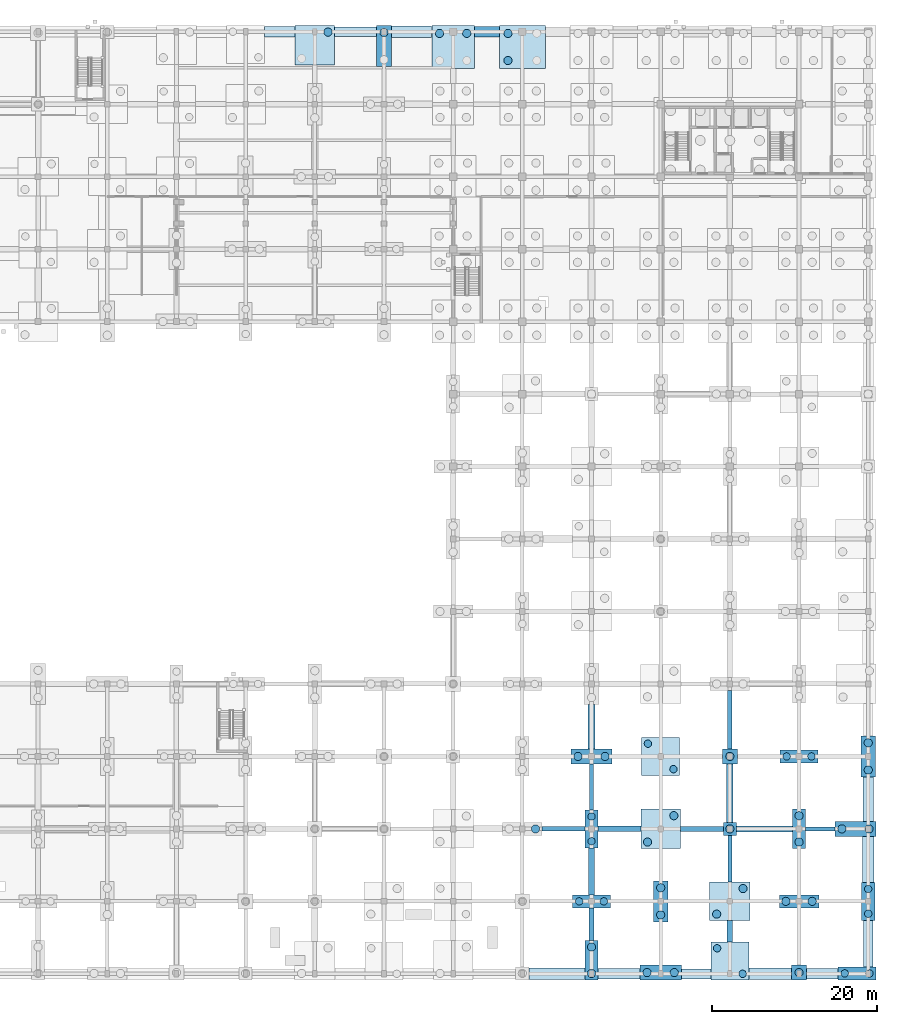
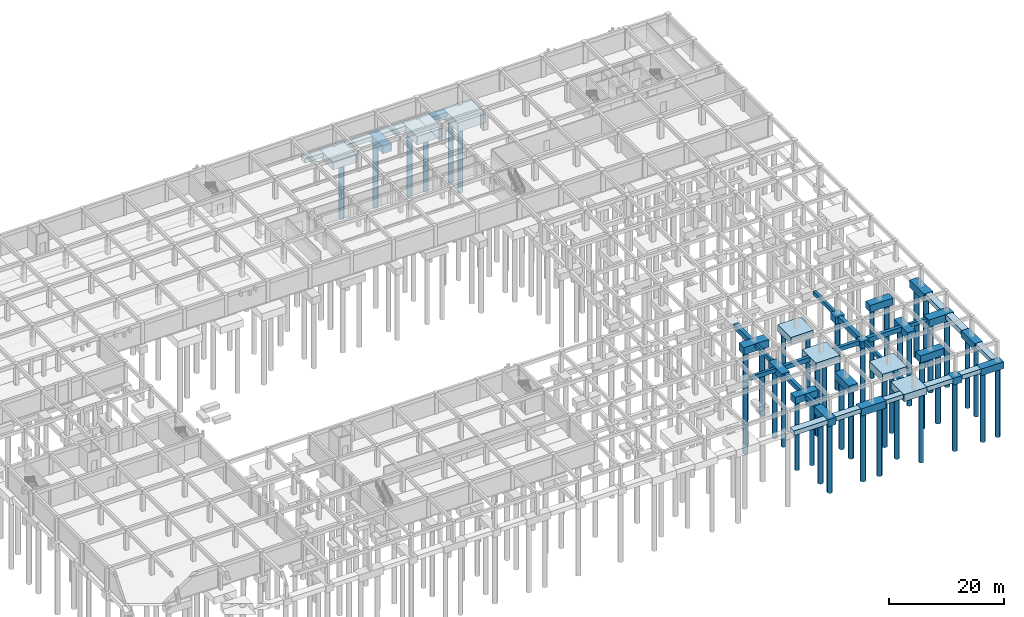
# One storey, part 9 of 41: 49 footings, 44 piles.
"""IFC4 building model written with IfcOpenShell, lengths in metres."""

import ifcopenshell
import ifcopenshell.guid

model = None  # the IFC model being written
_history = None  # IfcOwnerHistory: only IFC2X3 demands one
_inside = {}  # id of a spatial element -> (the spatial element, [elements in it])
_under = {}  # id of a project, library or spatial element -> (it, [spatial elements below it])
_declared = {}  # id of a project -> (the project, [libraries it declares])
_typed = {}  # id of a type object -> (the type object, [elements of that type])
_made_of = {}  # id of a material, layer set ... -> (it, [elements and type objects made of it])


def new_model(schema):
    """Start an empty IFC model of exactly this schema.

    Asked for "IFC4X3", IfcOpenShell would pick the latest addendum, in which some entities
    have other attributes; the version numbers below select the first issue.
    IFC2X3 requires an IfcOwnerHistory on every rooted entity: one is made here for all.
    """
    global model, _history
    if schema == "IFC4X3":
        model = ifcopenshell.file(schema_version=(4, 3, 0, 0))
    else:
        model = ifcopenshell.file(schema=schema)
    _inside.clear()
    _under.clear()
    _declared.clear()
    _typed.clear()
    _made_of.clear()
    _history = None
    if model.schema == "IFC2X3":
        org = make("IfcOrganization", Name="unknown")
        user = make(
            "IfcPersonAndOrganization",
            ThePerson=make("IfcPerson", FamilyName="unknown"),
            TheOrganization=org,
        )
        app = make(
            "IfcApplication",
            ApplicationDeveloper=org,
            Version="unknown",
            ApplicationFullName="unknown",
            ApplicationIdentifier="unknown",
        )
        _history = make(
            "IfcOwnerHistory",
            OwningUser=user,
            OwningApplication=app,
            ChangeAction="ADDED",
            CreationDate=0,
        )
    return model


def make(cls, **values):
    """One entity of the class cls with the attributes given. An attribute that is None is left unset."""
    return model.create_entity(
        cls, **{name: value for name, value in values.items() if value is not None}
    )


def rooted(cls, **values):
    """An entity with a GlobalId (a new one), such as an element, a storey or a relation."""
    return make(cls, GlobalId=ifcopenshell.guid.new(), OwnerHistory=_history, **values)


def si_unit(unit_type, name, prefix=None):
    """IfcSIUnit, for example si_unit("LENGTHUNIT", "METRE", prefix="MILLI")."""
    return make("IfcSIUnit", UnitType=unit_type, Prefix=prefix, Name=name)


def assignment(units):
    """IfcUnitAssignment: the units of a project."""
    return None if units is None else make("IfcUnitAssignment", Units=units)


def point(xyz):
    """IfcCartesianPoint."""
    return None if xyz is None else make("IfcCartesianPoint", Coordinates=xyz)


def direction(xyz):
    """IfcDirection."""
    return None if xyz is None else make("IfcDirection", DirectionRatios=xyz)


def frame(location, z_axis=None, x_axis=None):
    """IfcAxis2Placement3D, a coordinate frame: its origin and axes. An axis left out is left unset."""
    return make(
        "IfcAxis2Placement3D",
        Location=point(location),
        Axis=direction(z_axis),
        RefDirection=direction(x_axis),
    )


def frame_2d(location, x_axis=None):
    """IfcAxis2Placement2D, a coordinate frame in the plane: its origin and x axis."""
    return make(
        "IfcAxis2Placement2D", Location=point(location), RefDirection=direction(x_axis)
    )


def origin():
    """The frame at (0, 0, 0) with its axes left unset."""
    return frame((0.0, 0.0, 0.0))


def origin_2d():
    """The frame at (0, 0) in the plane with its x axis left unset."""
    return frame_2d((0.0, 0.0))


def place(relative_to, where):
    """IfcLocalPlacement: puts the frame where relative to a parent placement (None: the world)."""
    return make(
        "IfcLocalPlacement", PlacementRelTo=relative_to, RelativePlacement=where
    )


def context(
    kind, dimensions, precision=None, world=None, true_north=None, identifier=None
):
    """IfcGeometricRepresentationContext, for example the 3D "Model" context."""
    return make(
        "IfcGeometricRepresentationContext",
        ContextIdentifier=identifier,
        ContextType=kind,
        CoordinateSpaceDimension=dimensions,
        Precision=precision,
        WorldCoordinateSystem=world,
        TrueNorth=true_north,
    )


def subcontext(parent, identifier, kind, view, scale=None):
    """IfcGeometricRepresentationSubContext, for example "Body" below "Model"."""
    return make(
        "IfcGeometricRepresentationSubContext",
        ContextIdentifier=identifier,
        ContextType=kind,
        ParentContext=parent,
        TargetScale=scale,
        TargetView=view,
    )


def project(units=None, contexts=None):
    """IfcProject with its units and contexts."""
    return rooted(
        "IfcProject",
        Name="project",
        RepresentationContexts=contexts,
        UnitsInContext=assignment(units),
    )


def spatial(cls, under=None, at=None, **own):
    """A site, building, storey or space (cls), placed at a placement, below another one or the project."""
    s = rooted(cls, ObjectPlacement=at, **own)
    if under is not None:
        _under.setdefault(under.id(), (under, []))[1].append(s)
    return s


def profile(cls, at=None, kind="AREA", **sizes):
    """A parametric profile (cls). Its sizes go by their IFC names, for example OverallWidth=200.0."""
    return make(cls, ProfileType=kind, Position=at, **sizes)


def rectangle(**sizes):
    """IfcRectangleProfileDef."""
    return profile("IfcRectangleProfileDef", **sizes)


def circle(**sizes):
    """IfcCircleProfileDef."""
    return profile("IfcCircleProfileDef", **sizes)


def extrude(swept, where, along, depth):
    """IfcExtrudedAreaSolid: the profile swept, set in the frame where, extruded along a direction by depth."""
    return make(
        "IfcExtrudedAreaSolid",
        SweptArea=swept,
        Position=where,
        ExtrudedDirection=direction(along),
        Depth=depth,
    )


def shape(context_of_items, identifier, shape_type, items):
    """IfcShapeRepresentation: the items that make up one representation, for example the "Body"."""
    return make(
        "IfcShapeRepresentation",
        ContextOfItems=context_of_items,
        RepresentationIdentifier=identifier,
        RepresentationType=shape_type,
        Items=items,
    )


def material(Name=None, Category=None):
    """IfcMaterial."""
    return make("IfcMaterial", Name=Name, Category=Category)


def material_profile(
    of_material, cross_section, Name=None, Category=None, Priority=None
):
    """IfcMaterialProfile: a cross section and its material."""
    return make(
        "IfcMaterialProfile",
        Name=Name,
        Material=of_material,
        Profile=cross_section,
        Priority=Priority,
        Category=Category,
    )


def profile_set(profiles, Name=None, composite=None):
    """IfcMaterialProfileSet."""
    return make(
        "IfcMaterialProfileSet",
        Name=Name,
        MaterialProfiles=profiles,
        CompositeProfile=composite,
    )


def made_of(thing, what):
    """Note that an element or type object is made of a material, layer set ...; save() writes the relation."""
    if what is not None:
        _made_of.setdefault(what.id(), (what, []))[1].append(thing)
    return thing


def type_object(cls, material=None, **own):
    """A type object (cls), such as IfcWallType, which elements share."""
    return made_of(rooted(cls, **own), material)


def element(
    cls,
    number,
    at=None,
    inside=None,
    cuts=None,
    type_object=None,
    material=None,
    context=None,
    identifier="Body",
    shape_type=None,
    held_by="IfcProductDefinitionShape",
    body=None,
    shapes=None,
    **own,
):
    """One element of the class cls, such as IfcWall. Its Tag is "e" and its number.

    at: its placement. inside: the storey or other place that contains it. cuts: it is an
    opening in that element (IfcRelVoidsElement). A single representation is given by context,
    identifier, shape_type and body (its items); several are given by shapes. held_by: the class
    of the entity that holds the representations. save() writes the other relations.
    """
    e = rooted(cls, Tag="e%d" % number, ObjectPlacement=at, **own)
    if body is not None:
        shapes = [shape(context, identifier, shape_type, body)]
    if shapes is not None:
        e.Representation = make(held_by, Representations=shapes)
    if inside is not None:
        _inside.setdefault(inside.id(), (inside, []))[1].append(e)
    if cuts is not None:
        rooted(
            "IfcRelVoidsElement", RelatingBuildingElement=cuts, RelatedOpeningElement=e
        )
    if type_object is not None:
        _typed.setdefault(type_object.id(), (type_object, []))[1].append(e)
    return made_of(e, material)


def aggregate(whole, parts):
    """IfcRelAggregates: a whole, such as a stair, and the parts it consists of."""
    return rooted("IfcRelAggregates", RelatingObject=whole, RelatedObjects=parts)


def save(model, path):
    """Write the relations noted so far, then the file.

    IfcRelAggregates (storeys below a building ...), IfcRelContainedInSpatialStructure (elements
    in a storey), IfcRelDefinesByType, IfcRelAssociatesMaterial and IfcRelDeclares: one each for
    every whole, place, type object, material and project.
    """
    for whole, parts in _under.values():
        aggregate(whole, parts)
    for where, things in _inside.values():
        rooted(
            "IfcRelContainedInSpatialStructure",
            RelatedElements=things,
            RelatingStructure=where,
        )
    for kind, things in _typed.values():
        rooted("IfcRelDefinesByType", RelatedObjects=things, RelatingType=kind)
    for what, things in _made_of.values():
        rooted("IfcRelAssociatesMaterial", RelatedObjects=things, RelatingMaterial=what)
    for by, libraries in _declared.values():
        rooted("IfcRelDeclares", RelatingContext=by, RelatedDefinitions=libraries)
    model.write(path)


model = new_model("IFC4")

# Units and contexts
model_context = context("Model", 3, precision=1e-05, world=origin(), true_north=direction((0.0, 1.0)))
body_context = subcontext(model_context, "Body", "Model", "MODEL_VIEW")
ifc_project = project(units=[si_unit("LENGTHUNIT", "METRE"), si_unit("AREAUNIT", "SQUARE_METRE"), si_unit("VOLUMEUNIT", "CUBIC_METRE"), si_unit("PLANEANGLEUNIT", "RADIAN"), si_unit("MASSUNIT", "GRAM", prefix="KILO")], contexts=[model_context])

# Site, building, storey
site_placement = place(None, origin())
site = spatial("IfcSite", under=ifc_project, at=site_placement, CompositionType="ELEMENT")
building_placement = place(site_placement, origin())
building = spatial("IfcBuilding", under=site, at=building_placement, Name="Kemercrest Conservatory and Botanical Centre", CompositionType="ELEMENT")
storey_placement = place(building_placement, frame((0.0, 0.0, -4.5)))
storey = spatial("IfcBuildingStorey", under=building, at=storey_placement, Name="B1", CompositionType="ELEMENT", Elevation=-4.5)

# Piles
ifc_material = material(Name="Concrete C40/50", Category="concrete")
ifc_material_profile_1 = material_profile(ifc_material, circle(Radius=0.5, at=origin_2d()), Name="BORED PILE 1000")
ifc_profile_set_1 = profile_set([ifc_material_profile_1], Name="Concrete C40/50")
pile_type_1 = type_object("IfcPileType", Name="BP-01", PredefinedType="BORED", material=ifc_profile_set_1)
pile_1_placement = place(storey_placement, frame((110.39990234375, 122.35009765625, -1.909912109375), z_axis=(0.0, 0.0, -1.0), x_axis=(1.0, 0.0, 0.0)))
element("IfcPile", 1, at=pile_1_placement, inside=storey, type_object=pile_type_1, Name="Bored pile BP-01 #289", PredefinedType="BORED", context=body_context, shape_type="SweptSolid", body=[
    extrude(circle(Radius=0.5, at=origin_2d()), origin(), (0.0, 0.0, 1.0), 14.090087890625),
])
pile_2_placement = place(storey_placement, frame((117.199951171875, 122.300048828125, -1.860107421875), z_axis=(0.0, 0.0, -1.0), x_axis=(1.0, 0.0, 0.0)))
element("IfcPile", 2, at=pile_2_placement, inside=storey, type_object=pile_type_1, Name="Bored pile BP-01 #307", PredefinedType="BORED", context=body_context, shape_type="SweptSolid", body=[
    extrude(circle(Radius=0.5, at=origin_2d()), origin(), (0.0, 0.0, 1.0), 14.139892578125),
])
for number, where, z_axis, x_axis, name in (
    (3, (123.949951171875, 122.199951171875, -2.199951171875), (0.0, 0.0, -1.0), (1.0, 0.0, 0.0), "Bored pile BP-01 #341"),
    (4, (127.25, 122.199951171875, -2.199951171875), (0.0, 0.0, -1.0), (1.0, 0.0, 0.0), "Bored pile BP-01 #343"),
):
    element("IfcPile", number, at=place(storey_placement, frame(where, z_axis=z_axis, x_axis=x_axis)), inside=storey, type_object=pile_type_1, Name=name, PredefinedType="BORED", context=body_context, shape_type="SweptSolid", body=[
        extrude(circle(Radius=0.5, at=origin_2d()), origin(), (0.0, 0.0, 1.0), 13.800048828125),
    ])
pile_3_placement = place(storey_placement, frame((135.60009765625, 25.60009765625, -1.39990234375), z_axis=(0.0, 0.0, -1.0), x_axis=(1.0, 0.0, 0.0)))
element("IfcPile", 5, at=pile_3_placement, inside=storey, type_object=pile_type_1, Name="Bored pile BP-01 #347", PredefinedType="BORED", context=body_context, shape_type="SweptSolid", body=[
    extrude(circle(Radius=0.5, at=origin_2d()), origin(), (0.0, 0.0, 1.0), 14.60009765625),
])
for number, where, z_axis, x_axis, name in (
    (6, (132.25, 118.89990234375, -2.300048828125), (0.0, 0.0, -1.0), (1.0, 0.0, 0.0), "Bored pile BP-01 #376"),
    (7, (132.25, 122.199951171875, -2.300048828125), (0.0, 0.0, -1.0), (1.0, 0.0, 0.0), "Bored pile BP-01 #377"),
):
    element("IfcPile", number, at=place(storey_placement, frame(where, z_axis=z_axis, x_axis=x_axis)), inside=storey, type_object=pile_type_1, Name=name, PredefinedType="BORED", context=body_context, shape_type="SweptSolid", body=[
        extrude(circle(Radius=0.5, at=origin_2d()), origin(), (0.0, 0.0, 1.0), 13.699951171875),
    ])
for number, where, z_axis, x_axis, name in (
    (8, (142.39990234375, 8.050048828125, -1.39990234375), (0.0, 0.0, -1.0), (1.0, 0.0, 0.0), "Bored pile BP-01 #380"),
    (9, (142.39990234375, 11.25, -1.39990234375), (0.0, 0.0, -1.0), (1.0, 0.0, 0.0), "Bored pile BP-01 #381"),
):
    element("IfcPile", number, at=place(storey_placement, frame(where, z_axis=z_axis, x_axis=x_axis)), inside=storey, type_object=pile_type_1, Name=name, PredefinedType="BORED", context=body_context, shape_type="SweptSolid", body=[
        extrude(circle(Radius=0.5, at=origin_2d()), origin(), (0.0, 0.0, 1.0), 14.60009765625),
    ])
for number, where, z_axis, x_axis, name in (
    (10, (140.75, 34.39990234375, -1.449951171875), (0.0, 0.0, -1.0), (1.0, 0.0, 0.0), "Bored pile BP-01 #386"),
    (11, (144.050048828125, 34.39990234375, -1.449951171875), (0.0, 0.0, -1.0), (1.0, 0.0, 0.0), "Bored pile BP-01 #387"),
    (12, (149.14990234375, 8.14990234375, -1.449951171875), (0.0, 0.0, -1.0), (1.0, 0.0, 0.0), "Bored pile BP-01 #417"),
    (13, (152.449951171875, 8.14990234375, -1.449951171875), (0.0, 0.0, -1.0), (1.0, 0.0, 0.0), "Bored pile BP-01 #418"),
    (14, (150.800048828125, 15.14990234375, -1.449951171875), (0.0, 0.0, -1.0), (1.0, 0.0, 0.0), "Bored pile BP-01 #419"),
    (15, (150.800048828125, 18.449951171875, -1.449951171875), (0.0, 0.0, -1.0), (1.0, 0.0, 0.0), "Bored pile BP-01 #420"),
):
    element("IfcPile", number, at=place(storey_placement, frame(where, z_axis=z_axis, x_axis=x_axis)), inside=storey, type_object=pile_type_1, Name=name, PredefinedType="BORED", context=body_context, shape_type="SweptSolid", body=[
        extrude(circle(Radius=0.5, at=origin_2d()), origin(), (0.0, 0.0, 1.0), 14.550048828125),
    ])
for number, where, z_axis, x_axis, name in (
    (16, (149.199951171875, 24.0, -1.5), (0.0, 0.0, -1.0), (1.0, 0.0, 0.0), "Bored pile BP-01 #421"),
    (17, (152.39990234375, 27.199951171875, -1.5), (0.0, 0.0, -1.0), (1.0, 0.0, 0.0), "Bored pile BP-01 #422"),
):
    element("IfcPile", number, at=place(storey_placement, frame(where, z_axis=z_axis, x_axis=x_axis)), inside=storey, type_object=pile_type_1, Name=name, PredefinedType="BORED", context=body_context, shape_type="SweptSolid", body=[
        extrude(circle(Radius=0.5, at=origin_2d()), origin(), (0.0, 0.0, 1.0), 14.5),
    ])
for number, where, z_axis, x_axis, name in (
    (18, (157.60009765625, 15.25, -1.550048828125), (0.0, 0.0, -1.0), (1.0, 0.0, 0.0), "Bored pile BP-01 #447"),
    (19, (160.800048828125, 18.35009765625, -1.550048828125), (0.0, 0.0, -1.0), (1.0, 0.0, 0.0), "Bored pile BP-01 #448"),
):
    element("IfcPile", number, at=place(storey_placement, frame(where, z_axis=z_axis, x_axis=x_axis)), inside=storey, type_object=pile_type_1, Name=name, PredefinedType="BORED", context=body_context, shape_type="SweptSolid", body=[
        extrude(circle(Radius=0.5, at=origin_2d()), origin(), (0.0, 0.0, 1.0), 14.449951171875),
    ])
pile_4_placement = place(storey_placement, frame((159.199951171875, 25.60009765625, -1.300048828125), z_axis=(0.0, 0.0, -1.0), x_axis=(1.0, 0.0, 0.0)))
element("IfcPile", 20, at=pile_4_placement, inside=storey, type_object=pile_type_1, Name="Bored pile BP-01 #449", PredefinedType="BORED", context=body_context, shape_type="SweptSolid", body=[
    extrude(circle(Radius=0.5, at=origin_2d()), origin(), (0.0, 0.0, 1.0), 14.699951171875),
])
for number, where, z_axis, x_axis, name in (
    (21, (159.199951171875, 34.39990234375, -1.35009765625), (0.0, 0.0, -1.0), (1.0, 0.0, 0.0), "Bored pile BP-01 #450"),
    (22, (167.60009765625, 8.14990234375, -1.35009765625), (0.0, 0.0, -1.0), (1.0, 0.0, 0.0), "Bored pile BP-01 #473"),
):
    element("IfcPile", number, at=place(storey_placement, frame(where, z_axis=z_axis, x_axis=x_axis)), inside=storey, type_object=pile_type_1, Name=name, PredefinedType="BORED", context=body_context, shape_type="SweptSolid", body=[
        extrude(circle(Radius=0.5, at=origin_2d()), origin(), (0.0, 0.0, 1.0), 14.64990234375),
    ])
for number, where, z_axis, x_axis, name in (
    (23, (166.0, 16.800048828125, -1.39990234375), (0.0, 0.0, -1.0), (1.0, 0.0, 0.0), "Bored pile BP-01 #474"),
    (24, (169.199951171875, 16.800048828125, -1.39990234375), (0.0, 0.0, -1.0), (1.0, 0.0, 0.0), "Bored pile BP-01 #475"),
    (25, (167.60009765625, 24.0, -1.39990234375), (0.0, 0.0, -1.0), (1.0, 0.0, 0.0), "Bored pile BP-01 #476"),
    (26, (167.60009765625, 27.199951171875, -1.39990234375), (0.0, 0.0, -1.0), (1.0, 0.0, 0.0), "Bored pile BP-01 #477"),
):
    element("IfcPile", number, at=place(storey_placement, frame(where, z_axis=z_axis, x_axis=x_axis)), inside=storey, type_object=pile_type_1, Name=name, PredefinedType="BORED", context=body_context, shape_type="SweptSolid", body=[
        extrude(circle(Radius=0.5, at=origin_2d()), origin(), (0.0, 0.0, 1.0), 14.60009765625),
    ])
for number, where, z_axis, x_axis, name in (
    (27, (172.800048828125, 25.60009765625, -1.449951171875), (0.0, 0.0, -1.0), (1.0, 0.0, 0.0), "Bored pile BP-01 #506"),
    (28, (176.10009765625, 25.60009765625, -1.449951171875), (0.0, 0.0, -1.0), (1.0, 0.0, 0.0), "Bored pile BP-01 #507"),
    (29, (176.0, 32.75, -1.449951171875), (0.0, 0.0, -1.0), (1.0, 0.0, 0.0), "Bored pile BP-01 #508"),
    (30, (176.0, 36.050048828125, -1.449951171875), (0.0, 0.0, -1.0), (1.0, 0.0, 0.0), "Bored pile BP-01 #509"),
):
    element("IfcPile", number, at=place(storey_placement, frame(where, z_axis=z_axis, x_axis=x_axis)), inside=storey, type_object=pile_type_1, Name=name, PredefinedType="BORED", context=body_context, shape_type="SweptSolid", body=[
        extrude(circle(Radius=0.5, at=origin_2d()), origin(), (0.0, 0.0, 1.0), 14.550048828125),
    ])
ifc_material_profile_2 = material_profile(ifc_material, circle(Radius=0.449951171875, at=origin_2d()), Name="BORED PILE 900")
ifc_profile_set_2 = profile_set([ifc_material_profile_2], Name="Concrete C40/50")
pile_type_2 = type_object("IfcPileType", Name="BP-02", PredefinedType="BORED", material=ifc_profile_set_2)
for number, where, z_axis, x_axis, name in (
    (31, (140.89990234375, 16.800048828125, -1.35009765625), (0.0, 0.0, -1.0), (1.0, 0.0, 0.0), "Bored pile BP-02 #382"),
    (32, (143.89990234375, 16.800048828125, -1.35009765625), (0.0, 0.0, -1.0), (1.0, 0.0, 0.0), "Bored pile BP-02 #383"),
    (33, (142.39990234375, 24.10009765625, -1.35009765625), (0.0, 0.0, -1.0), (1.0, 0.0, 0.0), "Bored pile BP-02 #384"),
    (34, (142.39990234375, 27.10009765625, -1.35009765625), (0.0, 0.0, -1.0), (1.0, 0.0, 0.0), "Bored pile BP-02 #385"),
):
    element("IfcPile", number, at=place(storey_placement, frame(where, z_axis=z_axis, x_axis=x_axis)), inside=storey, type_object=pile_type_2, Name=name, PredefinedType="BORED", context=body_context, shape_type="SweptSolid", body=[
        extrude(circle(Radius=0.449951171875, at=origin_2d()), origin(), (0.0, 0.0, 1.0), 14.64990234375),
    ])
for number, where, z_axis, x_axis, name in (
    (35, (149.25, 35.949951171875, -1.39990234375), (0.0, 0.0, -1.0), (1.0, 0.0, 0.0), "Bored pile BP-02 #423"),
    (36, (152.35009765625, 32.85009765625, -1.39990234375), (0.0, 0.0, -1.0), (1.0, 0.0, 0.0), "Bored pile BP-02 #424"),
    (37, (157.64990234375, 11.10009765625, -1.39990234375), (0.0, 0.0, -1.0), (1.0, 0.0, 0.0), "Bored pile BP-02 #445"),
    (38, (160.75, 8.0, -1.39990234375), (0.0, 0.0, -1.0), (1.0, 0.0, 0.0), "Bored pile BP-02 #446"),
):
    element("IfcPile", number, at=place(storey_placement, frame(where, z_axis=z_axis, x_axis=x_axis)), inside=storey, type_object=pile_type_2, Name=name, PredefinedType="BORED", context=body_context, shape_type="SweptSolid", body=[
        extrude(circle(Radius=0.449951171875, at=origin_2d()), origin(), (0.0, 0.0, 1.0), 14.60009765625),
    ])
for number, where, z_axis, x_axis, name in (
    (39, (166.10009765625, 34.39990234375, -1.35009765625), (0.0, 0.0, -1.0), (1.0, 0.0, 0.0), "Bored pile BP-02 #478"),
    (40, (169.10009765625, 34.39990234375, -1.35009765625), (0.0, 0.0, -1.0), (1.0, 0.0, 0.0), "Bored pile BP-02 #479"),
    (41, (173.14990234375, 8.050048828125, -1.35009765625), (0.0, 0.0, -1.0), (1.0, 0.0, 0.0), "Bored pile BP-02 #502"),
    (42, (176.14990234375, 8.050048828125, -1.35009765625), (0.0, 0.0, -1.0), (1.0, 0.0, 0.0), "Bored pile BP-02 #503"),
    (43, (176.0, 15.300048828125, -1.35009765625), (0.0, 0.0, -1.0), (1.0, 0.0, 0.0), "Bored pile BP-02 #504"),
    (44, (176.0, 18.300048828125, -1.35009765625), (0.0, 0.0, -1.0), (1.0, 0.0, 0.0), "Bored pile BP-02 #505"),
):
    element("IfcPile", number, at=place(storey_placement, frame(where, z_axis=z_axis, x_axis=x_axis)), inside=storey, type_object=pile_type_2, Name=name, PredefinedType="BORED", context=body_context, shape_type="SweptSolid", body=[
        extrude(circle(Radius=0.449951171875, at=origin_2d()), origin(), (0.0, 0.0, 1.0), 14.64990234375),
    ])

# Footings
footing_type_1 = type_object("IfcFootingType", Name="FB-01", PredefinedType="FOOTING_BEAM", material=ifc_material)
footing_1_placement = place(storey_placement, frame((155.800048828125, 25.60009765625, -0.89990234375), z_axis=(0.0, 0.0, 1.0), x_axis=(1.0, 0.0, 0.0)))
element("IfcFooting", 45, at=footing_1_placement, inside=storey, type_object=footing_type_1, Name="Seismic tie footing beam FB-01", PredefinedType="FOOTING_BEAM", context=body_context, shape_type="SweptSolid", body=[
    extrude(rectangle(XDim=5.199951171875, YDim=0.60009765625, at=origin_2d()), origin(), (0.0, 0.0, 1.0), 0.89990234375),
])
footing_2_placement = place(storey_placement, frame((142.39990234375, 14.02490234375, -0.89990234375), z_axis=(0.0, 0.0, 1.0), x_axis=(1.0, 0.0, 0.0)))
element("IfcFooting", 46, at=footing_2_placement, inside=storey, type_object=footing_type_1, Name="Seismic tie footing beam FB-01", PredefinedType="FOOTING_BEAM", context=body_context, shape_type="SweptSolid", body=[
    extrude(rectangle(XDim=0.60009765625, YDim=3.949951171875, at=origin_2d()), origin(), (0.0, 0.0, 1.0), 0.89990234375),
])
footing_type_2 = type_object("IfcFootingType", Name="FB-02", PredefinedType="FOOTING_BEAM", material=ifc_material)
footing_3_placement = place(storey_placement, frame((163.39990234375, 25.60009765625, -1.0), z_axis=(0.0, 0.0, 1.0), x_axis=(1.0, 0.0, 0.0)))
element("IfcFooting", 47, at=footing_3_placement, inside=storey, type_object=footing_type_2, Name="Seismic tie footing beam FB-02", PredefinedType="FOOTING_BEAM", context=body_context, shape_type="SweptSolid", body=[
    extrude(rectangle(XDim=6.800048828125, YDim=0.699951171875, at=origin_2d()), origin(), (0.0, 0.0, 1.0), 1.0),
])
footing_4_placement = place(storey_placement, frame((142.39990234375, 20.449951171875, -1.0), z_axis=(0.0, 0.0, 1.0), x_axis=(1.0, 0.0, 0.0)))
element("IfcFooting", 48, at=footing_4_placement, inside=storey, type_object=footing_type_2, Name="Seismic tie footing beam FB-02", PredefinedType="FOOTING_BEAM", context=body_context, shape_type="SweptSolid", body=[
    extrude(rectangle(XDim=0.699951171875, YDim=5.699951171875, at=origin_2d()), origin(), (0.0, 0.0, 1.0), 1.0),
])
footing_5_placement = place(storey_placement, frame((159.199951171875, 13.14990234375, -1.0), z_axis=(0.0, 0.0, 1.0), x_axis=(1.0, 0.0, 0.0)))
element("IfcFooting", 49, at=footing_5_placement, inside=storey, type_object=footing_type_2, Name="Seismic tie footing beam FB-02", PredefinedType="FOOTING_BEAM", context=body_context, shape_type="SweptSolid", body=[
    extrude(rectangle(XDim=0.699951171875, YDim=2.60009765625, at=origin_2d()), origin(), (0.0, 0.0, 1.0), 1.0),
])
footing_type_3 = type_object("IfcFootingType", Name="FB-03", PredefinedType="FOOTING_BEAM", material=ifc_material)
footing_6_placement = place(storey_placement, frame((170.175048828125, 25.60009765625, -0.7998046875), z_axis=(0.0, 0.0, 1.0), x_axis=(1.0, 0.0, 0.0)))
element("IfcFooting", 50, at=footing_6_placement, inside=storey, type_object=footing_type_3, Name="Seismic tie footing beam FB-03", PredefinedType="FOOTING_BEAM", context=body_context, shape_type="SweptSolid", body=[
    extrude(rectangle(XDim=3.550048828125, YDim=0.5, at=origin_2d()), origin(), (0.0, 0.0, 1.0), 0.800048828125),
])
footing_7_placement = place(storey_placement, frame((142.39990234375, 30.699951171875, -0.7998046875), z_axis=(0.0, 0.0, 1.0), x_axis=(1.0, 0.0, 0.0)))
element("IfcFooting", 51, at=footing_7_placement, inside=storey, type_object=footing_type_3, Name="Seismic tie footing beam FB-03", PredefinedType="FOOTING_BEAM", context=body_context, shape_type="SweptSolid", body=[
    extrude(rectangle(XDim=0.5, YDim=5.60009765625, at=origin_2d()), origin(), (0.0, 0.0, 1.0), 0.800048828125),
])
footing_8_placement = place(storey_placement, frame((159.199951171875, 21.97509765625, -0.7998046875), z_axis=(0.0, 0.0, 1.0), x_axis=(1.0, 0.0, 0.0)))
element("IfcFooting", 52, at=footing_8_placement, inside=storey, type_object=footing_type_3, Name="Seismic tie footing beam FB-03", PredefinedType="FOOTING_BEAM", context=body_context, shape_type="SweptSolid", body=[
    extrude(rectangle(XDim=0.5, YDim=5.64990234375, at=origin_2d()), origin(), (0.0, 0.0, 1.0), 0.800048828125),
])
footing_type_4 = type_object("IfcFootingType", Name="FB-04", PredefinedType="FOOTING_BEAM", material=ifc_material)
footing_9_placement = place(storey_placement, frame((142.39990234375, 38.0, -1.10009765625), z_axis=(0.0, 0.0, 1.0), x_axis=(1.0, 0.0, 0.0)))
element("IfcFooting", 53, at=footing_9_placement, inside=storey, type_object=footing_type_4, Name="Seismic tie footing beam FB-04", PredefinedType="FOOTING_BEAM", context=body_context, shape_type="SweptSolid", body=[
    extrude(rectangle(XDim=0.800048828125, YDim=5.39990234375, at=origin_2d()), origin(), (0.0, 0.0, 1.0), 1.10009765625),
])
footing_10_placement = place(storey_placement, frame((159.199951171875, 29.949951171875, -1.10009765625), z_axis=(0.0, 0.0, 1.0), x_axis=(1.0, 0.0, 0.0)))
element("IfcFooting", 54, at=footing_10_placement, inside=storey, type_object=footing_type_4, Name="Seismic tie footing beam FB-04", PredefinedType="FOOTING_BEAM", context=body_context, shape_type="SweptSolid", body=[
    extrude(rectangle(XDim=0.800048828125, YDim=7.10009765625, at=origin_2d()), origin(), (0.0, 0.0, 1.0), 1.10009765625),
])
footing_type_5 = type_object("IfcFootingType", Name="FB-05", PredefinedType="FOOTING_BEAM", material=ifc_material)
footing_11_placement = place(storey_placement, frame((139.0, 25.60009765625, -0.85009765625), z_axis=(0.0, 0.0, 1.0), x_axis=(1.0, 0.0, 0.0)))
element("IfcFooting", 55, at=footing_11_placement, inside=storey, type_object=footing_type_5, Name="Seismic tie footing beam FB-05", PredefinedType="FOOTING_BEAM", context=body_context, shape_type="SweptSolid", body=[
    extrude(rectangle(XDim=5.199951171875, YDim=0.550048828125, at=origin_2d()), origin(), (0.0, 0.0, 1.0), 0.85009765625),
])
footing_12_placement = place(storey_placement, frame((159.199951171875, 38.85009765625, -0.85009765625), z_axis=(0.0, 0.0, 1.0), x_axis=(1.0, 0.0, 0.0)))
element("IfcFooting", 56, at=footing_12_placement, inside=storey, type_object=footing_type_5, Name="Seismic tie footing beam FB-05", PredefinedType="FOOTING_BEAM", context=body_context, shape_type="SweptSolid", body=[
    extrude(rectangle(XDim=0.550048828125, YDim=7.10009765625, at=origin_2d()), origin(), (0.0, 0.0, 1.0), 0.85009765625),
])
footing_type_6 = type_object("IfcFootingType", Name="FB-06", PredefinedType="FOOTING_BEAM", material=ifc_material)
footing_13_placement = place(storey_placement, frame((145.800048828125, 25.60009765625, -0.9501953125), z_axis=(0.0, 0.0, 1.0), x_axis=(1.0, 0.0, 0.0)))
element("IfcFooting", 57, at=footing_13_placement, inside=storey, type_object=footing_type_6, Name="Seismic tie footing beam FB-06", PredefinedType="FOOTING_BEAM", context=body_context, shape_type="SweptSolid", body=[
    extrude(rectangle(XDim=5.199951171875, YDim=0.64990234375, at=origin_2d()), origin(), (0.0, 0.0, 1.0), 0.949951171875),
])
footing_type_7 = type_object("IfcFootingType", Name="PC-01", PredefinedType="PILE_CAP", material=ifc_material)
footing_14_placement = place(storey_placement, frame((159.199951171875, 25.60009765625, -1.39990234375), z_axis=(0.0, 0.0, 1.0), x_axis=(1.0, 0.0, 0.0)))
element("IfcFooting", 58, at=footing_14_placement, inside=storey, type_object=footing_type_7, Name="Pile cap PC-01 at (159.2, 25.6)", PredefinedType="PILE_CAP", context=body_context, shape_type="SweptSolid", body=[
    extrude(rectangle(XDim=1.60009765625, YDim=1.60009765625, at=origin_2d()), origin(), (0.0, 0.0, 1.0), 1.39990234375),
])
footing_type_8 = type_object("IfcFootingType", Name="PC-02", PredefinedType="PILE_CAP", material=ifc_material)
footing_15_placement = place(storey_placement, frame((167.60009765625, 16.800048828125, -1.5), z_axis=(0.0, 0.0, 1.0), x_axis=(1.0, 0.0, 0.0)))
element("IfcFooting", 59, at=footing_15_placement, inside=storey, type_object=footing_type_8, Name="Pile cap PC-02 at (167.6, 16.8)", PredefinedType="PILE_CAP", context=body_context, shape_type="SweptSolid", body=[
    extrude(rectangle(XDim=4.800048828125, YDim=1.60009765625, at=origin_2d()), origin(), (0.0, 0.0, 1.0), 1.5),
])
footing_type_9 = type_object("IfcFootingType", Name="PC-03", PredefinedType="PILE_CAP", material=ifc_material)
for number, where, z_axis, x_axis, name in (
    (60, (142.39990234375, 9.64990234375, -1.5), (0.0, 0.0, 1.0), (1.0, 0.0, 0.0), "Pile cap PC-03 at (142.4, 9.7)"),
    (61, (167.60009765625, 25.60009765625, -1.5), (0.0, 0.0, 1.0), (1.0, 0.0, 0.0), "Pile cap PC-03 at (167.6, 25.6)"),
):
    element("IfcFooting", number, at=place(storey_placement, frame(where, z_axis=z_axis, x_axis=x_axis)), inside=storey, type_object=footing_type_9, Name=name, PredefinedType="PILE_CAP", context=body_context, shape_type="SweptSolid", body=[
        extrude(rectangle(XDim=1.60009765625, YDim=4.800048828125, at=origin_2d()), origin(), (0.0, 0.0, 1.0), 1.5),
    ])
footing_type_10 = type_object("IfcFootingType", Name="PC-04", PredefinedType="PILE_CAP", material=ifc_material)
for number, where, z_axis, x_axis, name in (
    (62, (108.800048828125, 120.75, -2.010009765625), (0.0, 0.0, 1.0), (1.0, 0.0, 0.0), "Pile cap PC-04 at (108.8, 120.8)"),
    (63, (150.800048828125, 25.60009765625, -1.60009765625), (0.0, 0.0, 1.0), (1.0, 0.0, 0.0), "Pile cap PC-04 at (150.8, 25.6)"),
):
    element("IfcFooting", number, at=place(storey_placement, frame(where, z_axis=z_axis, x_axis=x_axis)), inside=storey, type_object=footing_type_10, Name=name, PredefinedType="PILE_CAP", context=body_context, shape_type="SweptSolid", body=[
        extrude(rectangle(XDim=4.800048828125, YDim=4.800048828125, at=origin_2d()), origin(), (0.0, 0.0, 1.0), 1.60009765625),
    ])
footing_type_11 = type_object("IfcFootingType", Name="PC-05", PredefinedType="PILE_CAP", material=ifc_material)
for number, where, z_axis, x_axis, name in (
    (64, (150.800048828125, 34.39990234375, -1.5), (0.0, 0.0, 1.0), (1.0, 0.0, 0.0), "Pile cap PC-05 at (150.8, 34.4)"),
    (65, (159.199951171875, 9.550048828125, -1.5), (0.0, 0.0, 1.0), (1.0, 0.0, 0.0), "Pile cap PC-05 at (159.2, 9.6)"),
):
    element("IfcFooting", number, at=place(storey_placement, frame(where, z_axis=z_axis, x_axis=x_axis)), inside=storey, type_object=footing_type_11, Name=name, PredefinedType="PILE_CAP", context=body_context, shape_type="SweptSolid", body=[
        extrude(rectangle(XDim=4.60009765625, YDim=4.60009765625, at=origin_2d()), origin(), (0.0, 0.0, 1.0), 1.5),
    ])
footing_type_12 = type_object("IfcFootingType", Name="PC-07", PredefinedType="PILE_CAP", material=ifc_material)
footing_16_placement = place(storey_placement, frame((125.60009765625, 120.550048828125, -2.300048828125), z_axis=(0.0, 0.0, 1.0), x_axis=(1.0, 0.0, 0.0)))
element("IfcFooting", 66, at=footing_16_placement, inside=storey, type_object=footing_type_12, Name="Pile cap PC-07 at (125.6, 120.5)", PredefinedType="PILE_CAP", context=body_context, shape_type="SweptSolid", body=[
    extrude(rectangle(XDim=5.199951171875, YDim=5.199951171875, at=origin_2d()), origin(), (0.0, 0.0, 1.0), 1.85009765625),
])
footing_type_13 = type_object("IfcFootingType", Name="PC-08", PredefinedType="PILE_CAP", material=ifc_material)
for number, where, z_axis, x_axis, name in (
    (67, (142.39990234375, 16.800048828125, -1.4501953125), (0.0, 0.0, 1.0), (1.0, 0.0, 0.0), "Pile cap PC-08 at (142.4, 16.8)"),
    (68, (167.60009765625, 34.39990234375, -1.4501953125), (0.0, 0.0, 1.0), (1.0, 0.0, 0.0), "Pile cap PC-08 at (167.6, 34.4)"),
    (69, (174.64990234375, 8.050048828125, -1.4501953125), (0.0, 0.0, 1.0), (1.0, 0.0, 0.0), "Pile cap PC-08 at (174.7, 8.1)"),
):
    element("IfcFooting", number, at=place(storey_placement, frame(where, z_axis=z_axis, x_axis=x_axis)), inside=storey, type_object=footing_type_13, Name=name, PredefinedType="PILE_CAP", context=body_context, shape_type="SweptSolid", body=[
        extrude(rectangle(XDim=4.60009765625, YDim=1.60009765625, at=origin_2d()), origin(), (0.0, 0.0, 1.0), 1.449951171875),
    ])
footing_type_14 = type_object("IfcFootingType", Name="PC-09", PredefinedType="PILE_CAP", material=ifc_material)
for number, where, z_axis, x_axis, name in (
    (70, (142.39990234375, 25.60009765625, -1.4501953125), (0.0, 0.0, 1.0), (1.0, 0.0, 0.0), "Pile cap PC-09 at (142.4, 25.6)"),
    (71, (176.0, 16.800048828125, -1.4501953125), (0.0, 0.0, 1.0), (1.0, 0.0, 0.0), "Pile cap PC-09 at (176.0, 16.8)"),
):
    element("IfcFooting", number, at=place(storey_placement, frame(where, z_axis=z_axis, x_axis=x_axis)), inside=storey, type_object=footing_type_14, Name=name, PredefinedType="PILE_CAP", context=body_context, shape_type="SweptSolid", body=[
        extrude(rectangle(XDim=1.60009765625, YDim=4.60009765625, at=origin_2d()), origin(), (0.0, 0.0, 1.0), 1.449951171875),
    ])
footing_type_15 = type_object("IfcFootingType", Name="PC-12", PredefinedType="PILE_CAP", material=ifc_material)
for number, where, z_axis, x_axis, name in (
    (72, (159.199951171875, 34.39990234375, -1.4501953125), (0.0, 0.0, 1.0), (1.0, 0.0, 0.0), "Pile cap PC-12 at (159.2, 34.4)"),
    (73, (167.60009765625, 8.14990234375, -1.4501953125), (0.0, 0.0, 1.0), (1.0, 0.0, 0.0), "Pile cap PC-12 at (167.6, 8.2)"),
):
    element("IfcFooting", number, at=place(storey_placement, frame(where, z_axis=z_axis, x_axis=x_axis)), inside=storey, type_object=footing_type_15, Name=name, PredefinedType="PILE_CAP", context=body_context, shape_type="SweptSolid", body=[
        extrude(rectangle(XDim=1.800048828125, YDim=1.800048828125, at=origin_2d()), origin(), (0.0, 0.0, 1.0), 1.449951171875),
    ])
footing_type_16 = type_object("IfcFootingType", Name="PC-13", PredefinedType="PILE_CAP", material=ifc_material)
for number, where, z_axis, x_axis, name in (
    (74, (142.39990234375, 34.39990234375, -1.5498046875), (0.0, 0.0, 1.0), (1.0, 0.0, 0.0), "Pile cap PC-13 at (142.4, 34.4)"),
    (75, (150.800048828125, 8.14990234375, -1.5498046875), (0.0, 0.0, 1.0), (1.0, 0.0, 0.0), "Pile cap PC-13 at (150.8, 8.2)"),
    (76, (174.449951171875, 25.60009765625, -1.5498046875), (0.0, 0.0, 1.0), (1.0, 0.0, 0.0), "Pile cap PC-13 at (174.4, 25.6)"),
):
    element("IfcFooting", number, at=place(storey_placement, frame(where, z_axis=z_axis, x_axis=x_axis)), inside=storey, type_object=footing_type_16, Name=name, PredefinedType="PILE_CAP", context=body_context, shape_type="SweptSolid", body=[
        extrude(rectangle(XDim=5.0, YDim=1.800048828125, at=origin_2d()), origin(), (0.0, 0.0, 1.0), 1.550048828125),
    ])
footing_type_17 = type_object("IfcFootingType", Name="PC-14", PredefinedType="PILE_CAP", material=ifc_material)
for number, where, z_axis, x_axis, name in (
    (77, (117.199951171875, 120.64990234375, -1.9599609375), (0.0, 0.0, 1.0), (1.0, 0.0, 0.0), "Pile cap PC-14 at (117.2, 120.7)"),
    (78, (150.800048828125, 16.800048828125, -1.5498046875), (0.0, 0.0, 1.0), (1.0, 0.0, 0.0), "Pile cap PC-14 at (150.8, 16.8)"),
    (79, (176.0, 34.39990234375, -1.5498046875), (0.0, 0.0, 1.0), (1.0, 0.0, 0.0), "Pile cap PC-14 at (176.0, 34.4)"),
):
    element("IfcFooting", number, at=place(storey_placement, frame(where, z_axis=z_axis, x_axis=x_axis)), inside=storey, type_object=footing_type_17, Name=name, PredefinedType="PILE_CAP", context=body_context, shape_type="SweptSolid", body=[
        extrude(rectangle(XDim=1.800048828125, YDim=5.0, at=origin_2d()), origin(), (0.0, 0.0, 1.0), 1.550048828125),
    ])
footing_type_18 = type_object("IfcFootingType", Name="PC-15", PredefinedType="PILE_CAP", material=ifc_material)
footing_17_placement = place(storey_placement, frame((134.0, 120.550048828125, -2.39990234375), z_axis=(0.0, 0.0, 1.0), x_axis=(1.0, 0.0, 0.0)))
element("IfcFooting", 80, at=footing_17_placement, inside=storey, type_object=footing_type_18, Name="Pile cap PC-15 at (134.0, 120.5)", PredefinedType="PILE_CAP", context=body_context, shape_type="SweptSolid", body=[
    extrude(rectangle(XDim=5.60009765625, YDim=5.199951171875, at=origin_2d()), origin(), (0.0, 0.0, 1.0), 1.949951171875),
])
footing_type_19 = type_object("IfcFootingType", Name="PC-16", PredefinedType="PILE_CAP", material=ifc_material)
footing_18_placement = place(storey_placement, frame((159.199951171875, 16.800048828125, -1.64990234375), z_axis=(0.0, 0.0, 1.0), x_axis=(1.0, 0.0, 0.0)))
element("IfcFooting", 81, at=footing_18_placement, inside=storey, type_object=footing_type_19, Name="Pile cap PC-16 at (159.2, 16.8)", PredefinedType="PILE_CAP", context=body_context, shape_type="SweptSolid", body=[
    extrude(rectangle(XDim=4.89990234375, YDim=4.699951171875, at=origin_2d()), origin(), (0.0, 0.0, 1.0), 1.64990234375),
])
footing_type_20 = type_object("IfcFootingType", Name="SF-01", PredefinedType="STRIP_FOOTING", material=ifc_material)
footing_19_placement = place(storey_placement, frame((155.10009765625, 8.0, -0.89990234375), z_axis=(0.0, 0.0, 1.0), x_axis=(1.0, 0.0, 0.0)))
element("IfcFooting", 82, at=footing_19_placement, inside=storey, type_object=footing_type_20, Name="Perimeter strip footing SF-01", PredefinedType="STRIP_FOOTING", context=body_context, shape_type="SweptSolid", body=[
    extrude(rectangle(XDim=3.60009765625, YDim=1.199951171875, at=origin_2d()), origin(), (0.0, 0.0, 1.0), 0.89990234375),
])
footing_20_placement = place(storey_placement, frame((113.75, 122.39990234375, -1.31005859375), z_axis=(0.0, 0.0, 1.0), x_axis=(1.0, 0.0, 0.0)))
element("IfcFooting", 83, at=footing_20_placement, inside=storey, type_object=footing_type_20, Name="Perimeter strip footing SF-01", PredefinedType="STRIP_FOOTING", context=body_context, shape_type="SweptSolid", body=[
    extrude(rectangle(XDim=5.10009765625, YDim=1.199951171875, at=origin_2d()), origin(), (0.0, 0.0, 1.0), 0.89990234375),
])
footing_21_placement = place(storey_placement, frame((176.0, 11.675048828125, -0.89990234375), z_axis=(0.0, 0.0, 1.0), x_axis=(1.0, 0.0, 0.0)))
element("IfcFooting", 84, at=footing_21_placement, inside=storey, type_object=footing_type_20, Name="Perimeter strip footing SF-01", PredefinedType="STRIP_FOOTING", context=body_context, shape_type="SweptSolid", body=[
    extrude(rectangle(XDim=1.199951171875, YDim=5.64990234375, at=origin_2d()), origin(), (0.0, 0.0, 1.0), 0.89990234375),
])
footing_type_21 = type_object("IfcFootingType", Name="SF-02", PredefinedType="STRIP_FOOTING", material=ifc_material)
footing_22_placement = place(storey_placement, frame((138.199951171875, 8.0, -1.0), z_axis=(0.0, 0.0, 1.0), x_axis=(1.0, 0.0, 0.0)))
element("IfcFooting", 85, at=footing_22_placement, inside=storey, type_object=footing_type_21, Name="Perimeter strip footing SF-02", PredefinedType="STRIP_FOOTING", context=body_context, shape_type="SweptSolid", body=[
    extrude(rectangle(XDim=6.800048828125, YDim=1.39990234375, at=origin_2d()), origin(), (0.0, 0.0, 1.0), 1.0),
])
footing_23_placement = place(storey_placement, frame((164.10009765625, 8.0, -1.0), z_axis=(0.0, 0.0, 1.0), x_axis=(1.0, 0.0, 0.0)))
element("IfcFooting", 86, at=footing_23_placement, inside=storey, type_object=footing_type_21, Name="Perimeter strip footing SF-02", PredefinedType="STRIP_FOOTING", context=body_context, shape_type="SweptSolid", body=[
    extrude(rectangle(XDim=5.199951171875, YDim=1.39990234375, at=origin_2d()), origin(), (0.0, 0.0, 1.0), 1.0),
])
footing_24_placement = place(storey_placement, frame((120.550048828125, 122.39990234375, -1.449951171875), z_axis=(0.0, 0.0, 1.0), x_axis=(1.0, 0.0, 0.0)))
element("IfcFooting", 87, at=footing_24_placement, inside=storey, type_object=footing_type_21, Name="Perimeter strip footing SF-02", PredefinedType="STRIP_FOOTING", context=body_context, shape_type="SweptSolid", body=[
    extrude(rectangle(XDim=4.89990234375, YDim=1.39990234375, at=origin_2d()), origin(), (0.0, 0.0, 1.0), 1.0),
])
footing_25_placement = place(storey_placement, frame((176.0, 21.89990234375, -1.0), z_axis=(0.0, 0.0, 1.0), x_axis=(1.0, 0.0, 0.0)))
element("IfcFooting", 88, at=footing_25_placement, inside=storey, type_object=footing_type_21, Name="Perimeter strip footing SF-02", PredefinedType="STRIP_FOOTING", context=body_context, shape_type="SweptSolid", body=[
    extrude(rectangle(XDim=1.39990234375, YDim=5.60009765625, at=origin_2d()), origin(), (0.0, 0.0, 1.0), 1.0),
])
footing_type_22 = type_object("IfcFootingType", Name="SF-03", PredefinedType="STRIP_FOOTING", material=ifc_material)
footing_26_placement = place(storey_placement, frame((145.75, 8.0, -0.9501953125), z_axis=(0.0, 0.0, 1.0), x_axis=(1.0, 0.0, 0.0)))
element("IfcFooting", 89, at=footing_26_placement, inside=storey, type_object=footing_type_22, Name="Perimeter strip footing SF-03", PredefinedType="STRIP_FOOTING", context=body_context, shape_type="SweptSolid", body=[
    extrude(rectangle(XDim=5.10009765625, YDim=1.300048828125, at=origin_2d()), origin(), (0.0, 0.0, 1.0), 0.949951171875),
])
footing_27_placement = place(storey_placement, frame((170.425048828125, 8.0, -0.9501953125), z_axis=(0.0, 0.0, 1.0), x_axis=(1.0, 0.0, 0.0)))
element("IfcFooting", 90, at=footing_27_placement, inside=storey, type_object=footing_type_22, Name="Perimeter strip footing SF-03", PredefinedType="STRIP_FOOTING", context=body_context, shape_type="SweptSolid", body=[
    extrude(rectangle(XDim=3.85009765625, YDim=1.300048828125, at=origin_2d()), origin(), (0.0, 0.0, 1.0), 0.949951171875),
])
footing_28_placement = place(storey_placement, frame((104.550048828125, 122.39990234375, -1.35986328125), z_axis=(0.0, 0.0, 1.0), x_axis=(1.0, 0.0, 0.0)))
element("IfcFooting", 91, at=footing_28_placement, inside=storey, type_object=footing_type_22, Name="Perimeter strip footing SF-03", PredefinedType="STRIP_FOOTING", context=body_context, shape_type="SweptSolid", body=[
    extrude(rectangle(XDim=3.699951171875, YDim=1.300048828125, at=origin_2d()), origin(), (0.0, 0.0, 1.0), 0.949951171875),
])
footing_29_placement = place(storey_placement, frame((129.699951171875, 122.39990234375, -1.39990234375), z_axis=(0.0, 0.0, 1.0), x_axis=(1.0, 0.0, 0.0)))
element("IfcFooting", 92, at=footing_29_placement, inside=storey, type_object=footing_type_22, Name="Perimeter strip footing SF-03", PredefinedType="STRIP_FOOTING", context=body_context, shape_type="SweptSolid", body=[
    extrude(rectangle(XDim=3.0, YDim=1.300048828125, at=origin_2d()), origin(), (0.0, 0.0, 1.0), 0.949951171875),
])
footing_30_placement = place(storey_placement, frame((176.0, 29.199951171875, -0.9501953125), z_axis=(0.0, 0.0, 1.0), x_axis=(1.0, 0.0, 0.0)))
element("IfcFooting", 93, at=footing_30_placement, inside=storey, type_object=footing_type_22, Name="Perimeter strip footing SF-03", PredefinedType="STRIP_FOOTING", context=body_context, shape_type="SweptSolid", body=[
    extrude(rectangle(XDim=1.300048828125, YDim=5.39990234375, at=origin_2d()), origin(), (0.0, 0.0, 1.0), 0.949951171875),
])

save(model, "model.ifc")
